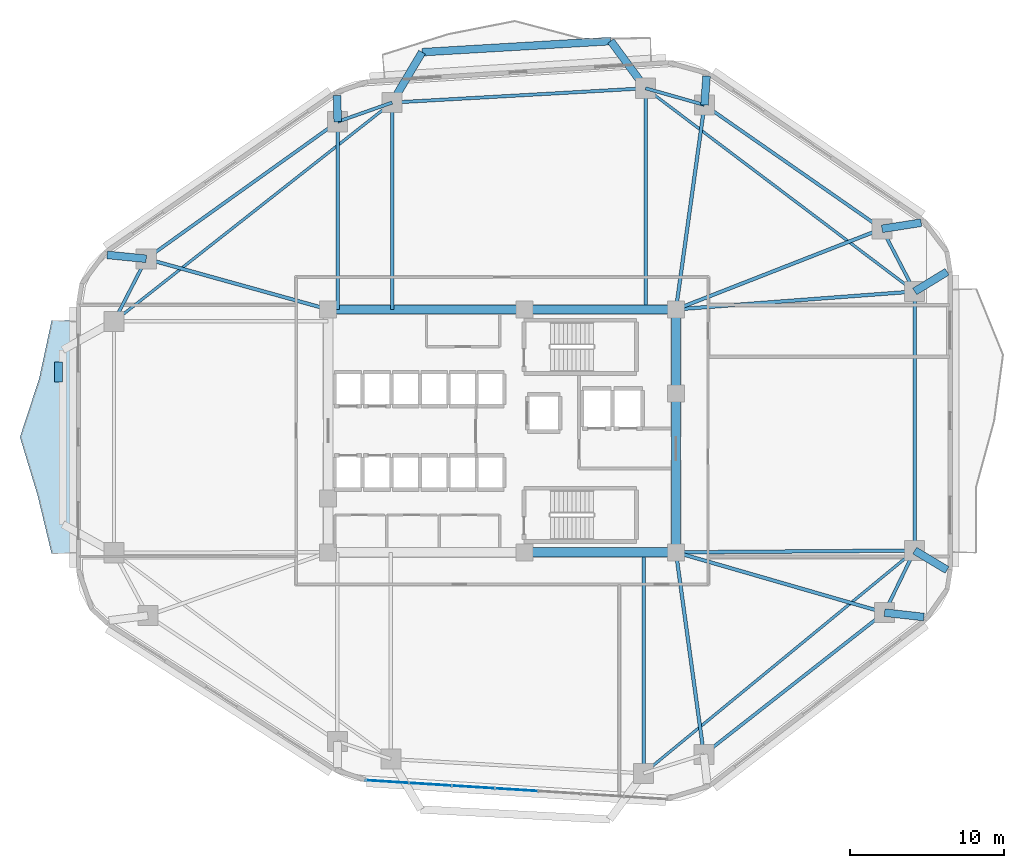
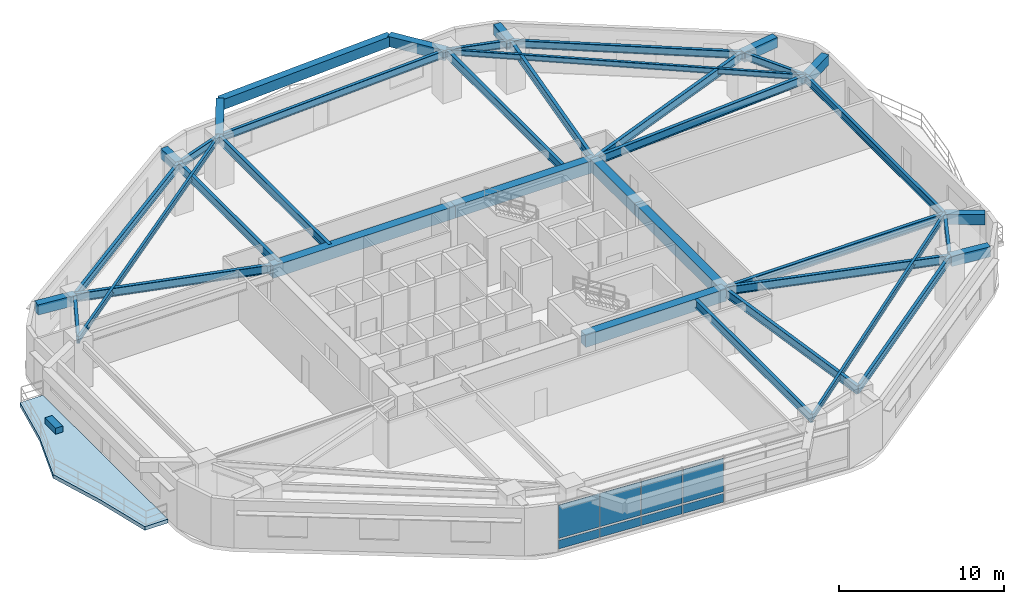
# One storey, part 6 of 13: 39 beams, 9 plates, 1 slab, 1 element without a shape of its own.
"""IFC4 building model written with IfcOpenShell, lengths in metres."""

from ifc_helpers import new_model, si_unit, direction, frame, origin, origin_2d, place, context, subcontext, project, spatial, polyline, rectangle, i_section, outline, extrude, material, layer, layer_set, material_profile, profile_set, type_object, element, aggregate, save


model = new_model("IFC4")

# Units and contexts
model_context = context("Model", 3, precision=1e-05, world=origin(), true_north=direction((0.0, 1.0)))
body_context = subcontext(model_context, "Body", "Model", "MODEL_VIEW")
ifc_project = project(units=[si_unit("LENGTHUNIT", "METRE"), si_unit("AREAUNIT", "SQUARE_METRE"), si_unit("VOLUMEUNIT", "CUBIC_METRE"), si_unit("PLANEANGLEUNIT", "RADIAN"), si_unit("MASSUNIT", "GRAM", prefix="KILO")], contexts=[model_context])

# Site, building, storey
site_placement = place(None, origin())
site = spatial("IfcSite", under=ifc_project, at=site_placement, CompositionType="ELEMENT")
building_placement = place(site_placement, origin())
building = spatial("IfcBuilding", under=site, at=building_placement, Name="Zulverin Broadcast Headquarters", CompositionType="ELEMENT")
storey_placement = place(building_placement, frame((0.0, 0.0, 70.60009765625)))
storey = spatial("IfcBuildingStorey", under=building, at=storey_placement, Name="L17", CompositionType="ELEMENT", Elevation=70.60009765625)

# Beams
ifc_material_1 = material(Name="Concrete C60/75", Category="concrete")
ifc_material_profile_1 = material_profile(ifc_material_1, rectangle(XDim=0.60009765625, YDim=0.89990234375, at=origin_2d()), Name="Concrete C60/75", Category="concrete")
ifc_profile_set_1 = profile_set([ifc_material_profile_1], Name="Concrete C60/75")
beam_type_1 = type_object("IfcBeamType", Name="BM-CB-600x900", PredefinedType="LINTEL", material=ifc_profile_set_1)
beam_1_placement = place(storey_placement, frame((38.449951171875, 17.324951171875, 3.074951171875), z_axis=(1.0, 0.0, 0.0), x_axis=(0.0, 1.0, 0.0)))
element("IfcBeam", 1, at=beam_1_placement, inside=storey, type_object=beam_type_1, Name="L17 Core Coupling Girder K02-K03", PredefinedType="LINTEL", context=body_context, shape_type="SweptSolid", body=[
    extrude(rectangle(XDim=0.60009765625, YDim=0.89990234375, at=origin_2d()), origin(), (0.0, 0.0, 1.0), 9.824951171875),
])
beam_2_placement = place(storey_placement, frame((48.27490234375, 17.324951171875, 3.074951171875), z_axis=(0.0, 1.0, 0.0), x_axis=(-1.0, 0.0, 0.0)))
element("IfcBeam", 2, at=beam_2_placement, inside=storey, type_object=beam_type_1, Name="L17 Core Coupling Girder K03-K04", PredefinedType="LINTEL", context=body_context, shape_type="SweptSolid", body=[
    extrude(rectangle(XDim=0.60009765625, YDim=0.89990234375, at=origin_2d()), origin(), (0.0, 0.0, 1.0), 10.295166015625),
])
beam_3_placement = place(storey_placement, frame((48.27490234375, 27.6201171875, 3.074951171875), z_axis=(0.0, 1.0, 0.0), x_axis=(-1.0, 0.0, 0.0)))
element("IfcBeam", 3, at=beam_3_placement, inside=storey, type_object=beam_type_1, Name="L17 Core Coupling Girder K04-K05", PredefinedType="LINTEL", context=body_context, shape_type="SweptSolid", body=[
    extrude(rectangle(XDim=0.60009765625, YDim=0.89990234375, at=origin_2d()), origin(), (0.0, 0.0, 1.0), 5.454833984375),
])
beam_4_placement = place(storey_placement, frame((48.27490234375, 33.074951171875, 3.074951171875), z_axis=(-1.0, 0.0, 0.0), x_axis=(0.0, -1.0, 0.0)))
element("IfcBeam", 4, at=beam_4_placement, inside=storey, type_object=beam_type_1, Name="L17 Core Coupling Girder K05-K06", PredefinedType="LINTEL", context=body_context, shape_type="SweptSolid", body=[
    extrude(rectangle(XDim=0.60009765625, YDim=0.89990234375, at=origin_2d()), origin(), (0.0, 0.0, 1.0), 9.824951171875),
])
beam_5_placement = place(storey_placement, frame((38.449951171875, 33.074951171875, 3.074951171875), z_axis=(-1.0, 0.0, 0.0), x_axis=(0.0, -1.0, 0.0)))
element("IfcBeam", 5, at=beam_5_placement, inside=storey, type_object=beam_type_1, Name="L17 Core Coupling Girder K06-K07", PredefinedType="LINTEL", context=body_context, shape_type="SweptSolid", body=[
    extrude(rectangle(XDim=0.60009765625, YDim=0.89990234375, at=origin_2d()), origin(), (0.0, 0.0, 1.0), 12.724853515625),
])
ifc_material_2 = material(Name="Concrete C40/50", Category="concrete")
ifc_material_profile_2 = material_profile(ifc_material_2, rectangle(XDim=0.5, YDim=0.75, at=origin_2d()), Name="Concrete C40/50", Category="concrete")
ifc_profile_set_2 = profile_set([ifc_material_profile_2], Name="Concrete C40/50")
beam_type_2 = type_object("IfcBeamType", Name="BM-RC-500x750", PredefinedType="BEAM", material=ifc_profile_set_2)
beam_6_placement = place(storey_placement, frame((61.79296875, 13.416259765625, 3.14990234375), z_axis=(0.993797661948, -0.111203449166, 0.0), x_axis=(0.111203449166, 0.993797661948, 0.0)))
element("IfcBeam", 6, at=beam_6_placement, inside=storey, type_object=beam_type_2, Name="L18 Plate Overhang Back-Spanned Beam OVR-04", PredefinedType="BEAM", context=body_context, shape_type="SweptSolid", body=[
    extrude(rectangle(XDim=0.5, YDim=0.75, at=origin_2d()), origin(), (0.0, 0.0, 1.0), 2.568603515625),
])
beam_7_placement = place(storey_placement, frame((63.75, 17.439697265625, 3.14990234375), z_axis=(0.858161199639, -0.513380322407, 0.0), x_axis=(0.513380322407, 0.858161199639, 0.0)))
element("IfcBeam", 7, at=beam_7_placement, inside=storey, type_object=beam_type_2, Name="L18 Plate Overhang Back-Spanned Beam OVR-05", PredefinedType="BEAM", context=body_context, shape_type="SweptSolid", body=[
    extrude(rectangle(XDim=0.5, YDim=0.75, at=origin_2d()), origin(), (0.0, 0.0, 1.0), 2.447265625),
])
beam_8_placement = place(storey_placement, frame((63.75, 34.235107421875, 3.14990234375), z_axis=(0.854022127196, 0.520236682924, 0.0), x_axis=(-0.520236682924, 0.854022127196, 0.0)))
element("IfcBeam", 8, at=beam_8_placement, inside=storey, type_object=beam_type_2, Name="L18 Plate Overhang Back-Spanned Beam OVR-06", PredefinedType="BEAM", context=body_context, shape_type="SweptSolid", body=[
    extrude(rectangle(XDim=0.5, YDim=0.75, at=origin_2d()), origin(), (0.0, 0.0, 1.0), 2.458984375),
])
beam_9_placement = place(storey_placement, frame((61.630126953125, 38.298583984375, 3.14990234375), z_axis=(0.988133444256, 0.153597839639, 0.0), x_axis=(-0.153597839639, 0.988133444256, 0.0)))
element("IfcBeam", 9, at=beam_9_placement, inside=storey, type_object=beam_type_2, Name="L18 Plate Overhang Back-Spanned Beam OVR-07", PredefinedType="BEAM", context=body_context, shape_type="SweptSolid", body=[
    extrude(rectangle(XDim=0.5, YDim=0.75, at=origin_2d()), origin(), (0.0, 0.0, 1.0), 2.57177734375),
])
beam_10_placement = place(storey_placement, frame((50.121826171875, 46.325927734375, 3.14990234375), z_axis=(0.073023006252, 0.997330256514, 0.0), x_axis=(-0.997330256514, 0.073023006252, 0.0)))
element("IfcBeam", 10, at=beam_10_placement, inside=storey, type_object=beam_type_2, Name="L18 Plate Overhang Back-Spanned Beam OVR-08", PredefinedType="BEAM", context=body_context, shape_type="SweptSolid", body=[
    extrude(rectangle(XDim=0.5, YDim=0.75, at=origin_2d()), origin(), (0.0, 0.0, 1.0), 1.875732421875),
])
beam_11_placement = place(storey_placement, frame((26.344482421875, 45.23828125, 3.14990234375), z_axis=(-0.025024345209, 0.999686842039, 0.0), x_axis=(-0.999686842039, -0.025024345209, 0.0)))
element("IfcBeam", 11, at=beam_11_placement, inside=storey, type_object=beam_type_2, Name="L18 Plate Overhang Back-Spanned Beam OVR-11", PredefinedType="BEAM", context=body_context, shape_type="SweptSolid", body=[
    extrude(rectangle(XDim=0.5, YDim=0.75, at=origin_2d()), origin(), (0.0, 0.0, 1.0), 1.707275390625),
])
beam_12_placement = place(storey_placement, frame((13.934326171875, 36.353759765625, 3.14990234375), z_axis=(-0.995008621602, 0.09978899207, 0.0), x_axis=(-0.09978899207, -0.995008621602, 0.0)))
element("IfcBeam", 12, at=beam_12_placement, inside=storey, type_object=beam_type_2, Name="L18 Plate Overhang Back-Spanned Beam OVR-12", PredefinedType="BEAM", context=body_context, shape_type="SweptSolid", body=[
    extrude(rectangle(XDim=0.5, YDim=0.75, at=origin_2d()), origin(), (0.0, 0.0, 1.0), 2.5419921875),
])
for number, where, z_axis, x_axis, name in (
    (13, (46.30224609375, 47.4091796875, 3.14990234375), (-0.592925064887, 0.805257640404, 0.0), (-0.805257640404, -0.592925064887, 0.0), "L18 Balcony Column-Framed Cantilever BAL_N-1"),
    (14, (29.873779296875, 46.482177734375, 3.14990234375), (0.511024077234, 0.859566397952, 0.0), (-0.859566397952, 0.511024077234, 0.0), "L18 Balcony Column-Framed Cantilever BAL_N-2"),
):
    element("IfcBeam", number, at=place(storey_placement, frame(where, z_axis=z_axis, x_axis=x_axis)), inside=storey, type_object=beam_type_2, Name=name, PredefinedType="BEAM", context=body_context, shape_type="SweptSolid", body=[
        extrude(rectangle(XDim=0.5, YDim=0.75, at=origin_2d()), origin(), (0.0, 0.0, 1.0), 3.800048828125),
    ])
beam_13_placement = place(storey_placement, frame((44.049072265625, 50.46923828125, 3.14990234375), z_axis=(-0.998269148199, -0.058810779227, 0.0), x_axis=(0.058810779227, -0.998269148199, 0.0)))
element("IfcBeam", 15, at=beam_13_placement, inside=storey, type_object=beam_type_2, Name="L18 Balcony Outer Edge Trimmer Beam BAL_N", PredefinedType="BEAM", context=body_context, shape_type="SweptSolid", body=[
    extrude(rectangle(XDim=0.5, YDim=0.75, at=origin_2d()), origin(), (0.0, 0.0, 1.0), 12.254638671875),
])
ifc_material_3 = material(Name="Structural steel S355JR", Category="steel")
ifc_material_profile_3 = material_profile(ifc_material_3, i_section(OverallWidth=0.179443359375, OverallDepth=0.412841796875, WebThickness=0.009521484375, FlangeThickness=0.01611328125, at=origin_2d()), Name="Structural steel S355JR", Category="steel")
ifc_profile_set_3 = profile_set([ifc_material_profile_3], Name="Structural steel S355JR")
beam_type_3 = type_object("IfcBeamType", Name="BM-UB-406", PredefinedType="JOIST", material=ifc_profile_set_3)
beam_14_placement = place(storey_placement, frame((46.175048828125, 2.997802734375, 3.318603515625), z_axis=(0.772611370623, 0.634879256224, 0.0), x_axis=(-0.634879256224, 0.772611370623, 0.0)))
element("IfcBeam", 16, at=beam_14_placement, inside=storey, type_object=beam_type_3, Name="L17 Chordal Floor Joist J-01", PredefinedType="JOIST", context=body_context, shape_type="SweptSolid", body=[
    extrude(i_section(OverallWidth=0.179443359375, OverallDepth=0.412841796875, WebThickness=0.009521484375, FlangeThickness=0.01611328125, at=origin_2d()), origin(), (0.0, 0.0, 1.0), 22.74755859375),
])
beam_15_placement = place(storey_placement, frame((63.75, 34.235107421875, 3.318603515625), z_axis=(-0.798058136838, 0.602580459546, 0.0), x_axis=(-0.602580459546, -0.798058136838, 0.0)))
element("IfcBeam", 17, at=beam_15_placement, inside=storey, type_object=beam_type_3, Name="L17 Chordal Floor Joist J-02", PredefinedType="JOIST", context=body_context, shape_type="SweptSolid", body=[
    extrude(i_section(OverallWidth=0.179443359375, OverallDepth=0.412841796875, WebThickness=0.009521484375, FlangeThickness=0.01611328125, at=origin_2d()), origin(), (0.0, 0.0, 1.0), 21.86279296875),
])
beam_16_placement = place(storey_placement, frame((29.873779296875, 46.482177734375, 3.318603515625), z_axis=(-0.78583902739, -0.618431098047, 0.0), x_axis=(0.618431098047, -0.78583902739, 0.0)))
element("IfcBeam", 18, at=beam_16_placement, inside=storey, type_object=beam_type_3, Name="L17 Chordal Floor Joist J-03", PredefinedType="JOIST", context=body_context, shape_type="SweptSolid", body=[
    extrude(i_section(OverallWidth=0.179443359375, OverallDepth=0.412841796875, WebThickness=0.009521484375, FlangeThickness=0.01611328125, at=origin_2d()), origin(), (0.0, 0.0, 1.0), 22.935546875),
])
ifc_material_profile_4 = material_profile(ifc_material_3, i_section(OverallWidth=0.2119140625, OverallDepth=0.54443359375, WebThickness=0.0126953125, FlangeThickness=0.021240234375, at=origin_2d()), Name="Structural steel S355JR", Category="steel")
ifc_profile_set_4 = profile_set([ifc_material_profile_4], Name="Structural steel S355JR")
beam_type_4 = type_object("IfcBeamType", Name="BM-UB-533", PredefinedType="SPANDREL", material=ifc_profile_set_4)
beam_17_placement = place(storey_placement, frame((50.08056640625, 4.22509765625, 3.252685546875), z_axis=(0.786691476208, 0.617346354376, 0.0), x_axis=(-0.617346354376, 0.786691476208, 0.0)))
element("IfcBeam", 19, at=beam_17_placement, inside=storey, type_object=beam_type_4, Name="L17 Perimeter Spandrel Beam SP-03", PredefinedType="SPANDREL", context=body_context, shape_type="SweptSolid", body=[
    extrude(i_section(OverallWidth=0.2119140625, OverallDepth=0.54443359375, WebThickness=0.0126953125, FlangeThickness=0.021240234375, at=origin_2d()), origin(), (0.0, 0.0, 1.0), 14.88818359375),
])
beam_18_placement = place(storey_placement, frame((61.79296875, 13.416259765625, 3.252685546875), z_axis=(0.437408475872, 0.899262934428, 0.0), x_axis=(-0.899262934428, 0.437408475872, 0.0)))
element("IfcBeam", 20, at=beam_18_placement, inside=storey, type_object=beam_type_4, Name="L17 Perimeter Spandrel Beam SP-04", PredefinedType="SPANDREL", context=body_context, shape_type="SweptSolid", body=[
    extrude(i_section(OverallWidth=0.2119140625, OverallDepth=0.54443359375, WebThickness=0.0126953125, FlangeThickness=0.021240234375, at=origin_2d()), origin(), (0.0, 0.0, 1.0), 4.47412109375),
])
beam_19_placement = place(storey_placement, frame((63.75, 17.439697265625, 3.252685546875), z_axis=(0.0, 1.0, 0.0), x_axis=(-1.0, 0.0, 0.0)))
element("IfcBeam", 21, at=beam_19_placement, inside=storey, type_object=beam_type_4, Name="L17 Perimeter Spandrel Beam SP-05", PredefinedType="SPANDREL", context=body_context, shape_type="SweptSolid", body=[
    extrude(i_section(OverallWidth=0.2119140625, OverallDepth=0.54443359375, WebThickness=0.0126953125, FlangeThickness=0.021240234375, at=origin_2d()), origin(), (0.0, 0.0, 1.0), 16.79541015625),
])
beam_20_placement = place(storey_placement, frame((63.75, 34.235107421875, 3.252685546875), z_axis=(-0.462531417359, 0.886602891917, 0.0), x_axis=(-0.886602891917, -0.462531417359, 0.0)))
element("IfcBeam", 22, at=beam_20_placement, inside=storey, type_object=beam_type_4, Name="L17 Perimeter Spandrel Beam SP-06", PredefinedType="SPANDREL", context=body_context, shape_type="SweptSolid", body=[
    extrude(i_section(OverallWidth=0.2119140625, OverallDepth=0.54443359375, WebThickness=0.0126953125, FlangeThickness=0.021240234375, at=origin_2d()), origin(), (0.0, 0.0, 1.0), 4.583251953125),
])
beam_21_placement = place(storey_placement, frame((61.630126953125, 38.298583984375, 3.252685546875), z_axis=(-0.820183915206, 0.5720999434, 0.0), x_axis=(-0.5720999434, -0.820183915206, 0.0)))
element("IfcBeam", 23, at=beam_21_placement, inside=storey, type_object=beam_type_4, Name="L17 Perimeter Spandrel Beam SP-07", PredefinedType="SPANDREL", context=body_context, shape_type="SweptSolid", body=[
    extrude(i_section(OverallWidth=0.2119140625, OverallDepth=0.54443359375, WebThickness=0.0126953125, FlangeThickness=0.021240234375, at=origin_2d()), origin(), (0.0, 0.0, 1.0), 14.03125),
])
beam_22_placement = place(storey_placement, frame((50.121826171875, 46.325927734375, 3.252685546875), z_axis=(-0.962058150721, 0.272844487999, 0.0), x_axis=(-0.272844487999, -0.962058150721, 0.0)))
element("IfcBeam", 24, at=beam_22_placement, inside=storey, type_object=beam_type_4, Name="L17 Perimeter Spandrel Beam SP-08", PredefinedType="SPANDREL", context=body_context, shape_type="SweptSolid", body=[
    extrude(i_section(OverallWidth=0.2119140625, OverallDepth=0.54443359375, WebThickness=0.0126953125, FlangeThickness=0.021240234375, at=origin_2d()), origin(), (0.0, 0.0, 1.0), 3.97021484375),
])
beam_23_placement = place(storey_placement, frame((46.30224609375, 47.4091796875, 3.252685546875), z_axis=(-0.998411812904, -0.056336949274, 0.0), x_axis=(0.056336949274, -0.998411812904, 0.0)))
element("IfcBeam", 25, at=beam_23_placement, inside=storey, type_object=beam_type_4, Name="L17 Perimeter Spandrel Beam SP-09", PredefinedType="SPANDREL", context=body_context, shape_type="SweptSolid", body=[
    extrude(i_section(OverallWidth=0.2119140625, OverallDepth=0.54443359375, WebThickness=0.0126953125, FlangeThickness=0.021240234375, at=origin_2d()), origin(), (0.0, 0.0, 1.0), 16.45458984375),
])
beam_24_placement = place(storey_placement, frame((29.873779296875, 46.482177734375, 3.252685546875), z_axis=(-0.943135983398, -0.332407155189, 0.0), x_axis=(0.332407155189, -0.943135983398, 0.0)))
element("IfcBeam", 26, at=beam_24_placement, inside=storey, type_object=beam_type_4, Name="L17 Perimeter Spandrel Beam SP-10", PredefinedType="SPANDREL", context=body_context, shape_type="SweptSolid", body=[
    extrude(i_section(OverallWidth=0.2119140625, OverallDepth=0.54443359375, WebThickness=0.0126953125, FlangeThickness=0.021240234375, at=origin_2d()), origin(), (0.0, 0.0, 1.0), 3.7421875),
])
beam_25_placement = place(storey_placement, frame((26.344482421875, 45.23828125, 3.252685546875), z_axis=(-0.813109374453, -0.582110938891, 0.0), x_axis=(0.582110938891, -0.813109374453, 0.0)))
element("IfcBeam", 27, at=beam_25_placement, inside=storey, type_object=beam_type_4, Name="L17 Perimeter Spandrel Beam SP-11", PredefinedType="SPANDREL", context=body_context, shape_type="SweptSolid", body=[
    extrude(i_section(OverallWidth=0.2119140625, OverallDepth=0.54443359375, WebThickness=0.0126953125, FlangeThickness=0.021240234375, at=origin_2d()), origin(), (0.0, 0.0, 1.0), 15.2626953125),
])
beam_26_placement = place(storey_placement, frame((13.934326171875, 36.353759765625, 3.252685546875), z_axis=(-0.457080631948, -0.889425261558, 0.0), x_axis=(0.889425261558, -0.457080631948, 0.0)))
element("IfcBeam", 28, at=beam_26_placement, inside=storey, type_object=beam_type_4, Name="L17 Perimeter Spandrel Beam SP-12", PredefinedType="SPANDREL", context=body_context, shape_type="SweptSolid", body=[
    extrude(i_section(OverallWidth=0.2119140625, OverallDepth=0.54443359375, WebThickness=0.0126953125, FlangeThickness=0.021240234375, at=origin_2d()), origin(), (0.0, 0.0, 1.0), 4.559814453125),
])
ifc_material_profile_5 = material_profile(ifc_material_3, i_section(OverallWidth=0.230224609375, OverallDepth=0.6171875, WebThickness=0.01318359375, FlangeThickness=0.022216796875, at=origin_2d()), Name="Structural steel S355JR", Category="steel")
ifc_profile_set_5 = profile_set([ifc_material_profile_5], Name="Structural steel S355JR")
beam_type_5 = type_object("IfcBeamType", Name="BM-UB-610", PredefinedType="BEAM", material=ifc_profile_set_5)
beam_27_placement = place(storey_placement, frame((46.175048828125, 17.324951171875, 3.21630859375), z_axis=(0.0, -1.0, 0.0), x_axis=(1.0, 0.0, 0.0)))
element("IfcBeam", 29, at=beam_27_placement, inside=storey, type_object=beam_type_5, Name="L17 Radial Primary Floor Beam RB-02", PredefinedType="BEAM", context=body_context, shape_type="SweptSolid", body=[
    extrude(i_section(OverallWidth=0.230224609375, OverallDepth=0.6171875, WebThickness=0.01318359375, FlangeThickness=0.022216796875, at=origin_2d()), origin(), (0.0, 0.0, 1.0), 14.3271484375),
])
beam_28_placement = place(storey_placement, frame((48.27490234375, 17.324951171875, 3.21630859375), z_axis=(0.136547433081, -0.990633533916, 0.0), x_axis=(0.990633533916, 0.136547433081, 0.0)))
element("IfcBeam", 30, at=beam_28_placement, inside=storey, type_object=beam_type_5, Name="L17 Radial Primary Floor Beam RB-03", PredefinedType="BEAM", context=body_context, shape_type="SweptSolid", body=[
    extrude(i_section(OverallWidth=0.230224609375, OverallDepth=0.6171875, WebThickness=0.01318359375, FlangeThickness=0.022216796875, at=origin_2d()), origin(), (0.0, 0.0, 1.0), 13.2236328125),
])
beam_29_placement = place(storey_placement, frame((48.27490234375, 17.324951171875, 3.21630859375), z_axis=(0.960648363311, -0.277767388416, 0.0), x_axis=(0.277767388416, 0.960648363311, 0.0)))
element("IfcBeam", 31, at=beam_29_placement, inside=storey, type_object=beam_type_5, Name="L17 Radial Primary Floor Beam RB-04", PredefinedType="BEAM", context=body_context, shape_type="SweptSolid", body=[
    extrude(i_section(OverallWidth=0.230224609375, OverallDepth=0.6171875, WebThickness=0.01318359375, FlangeThickness=0.022216796875, at=origin_2d()), origin(), (0.0, 0.0, 1.0), 14.07177734375),
])
beam_30_placement = place(storey_placement, frame((48.27490234375, 17.324951171875, 3.21630859375), z_axis=(0.999972510862, 0.007414682739, 0.0), x_axis=(-0.007414682739, 0.999972510862, 0.0)))
element("IfcBeam", 32, at=beam_30_placement, inside=storey, type_object=beam_type_5, Name="L17 Radial Primary Floor Beam RB-05", PredefinedType="BEAM", context=body_context, shape_type="SweptSolid", body=[
    extrude(i_section(OverallWidth=0.230224609375, OverallDepth=0.6171875, WebThickness=0.01318359375, FlangeThickness=0.022216796875, at=origin_2d()), origin(), (0.0, 0.0, 1.0), 15.4755859375),
])
beam_31_placement = place(storey_placement, frame((48.27490234375, 33.074951171875, 3.21630859375), z_axis=(0.997201597387, 0.074759442003, 0.0), x_axis=(-0.074759442003, 0.997201597387, 0.0)))
element("IfcBeam", 33, at=beam_31_placement, inside=storey, type_object=beam_type_5, Name="L17 Radial Primary Floor Beam RB-06", PredefinedType="BEAM", context=body_context, shape_type="SweptSolid", body=[
    extrude(i_section(OverallWidth=0.230224609375, OverallDepth=0.6171875, WebThickness=0.01318359375, FlangeThickness=0.022216796875, at=origin_2d()), origin(), (0.0, 0.0, 1.0), 15.5185546875),
])
beam_32_placement = place(storey_placement, frame((48.27490234375, 33.074951171875, 3.21630859375), z_axis=(0.931297778153, 0.364258765723, 0.0), x_axis=(-0.364258765723, 0.931297778153, 0.0)))
element("IfcBeam", 34, at=beam_32_placement, inside=storey, type_object=beam_type_5, Name="L17 Radial Primary Floor Beam RB-07", PredefinedType="BEAM", context=body_context, shape_type="SweptSolid", body=[
    extrude(i_section(OverallWidth=0.230224609375, OverallDepth=0.6171875, WebThickness=0.01318359375, FlangeThickness=0.022216796875, at=origin_2d()), origin(), (0.0, 0.0, 1.0), 14.34033203125),
])
beam_33_placement = place(storey_placement, frame((48.27490234375, 33.074951171875, 3.21630859375), z_axis=(0.138045758193, 0.990425852169, 0.0), x_axis=(-0.990425852169, 0.138045758193, 0.0)))
element("IfcBeam", 35, at=beam_33_placement, inside=storey, type_object=beam_type_5, Name="L17 Radial Primary Floor Beam RB-08", PredefinedType="BEAM", context=body_context, shape_type="SweptSolid", body=[
    extrude(i_section(OverallWidth=0.230224609375, OverallDepth=0.6171875, WebThickness=0.01318359375, FlangeThickness=0.022216796875, at=origin_2d()), origin(), (0.0, 0.0, 1.0), 13.379150390625),
])
beam_34_placement = place(storey_placement, frame((46.30224609375, 33.074951171875, 3.21630859375), z_axis=(0.0, 1.0, 0.0), x_axis=(-1.0, 0.0, 0.0)))
element("IfcBeam", 36, at=beam_34_placement, inside=storey, type_object=beam_type_5, Name="L17 Radial Primary Floor Beam RB-09", PredefinedType="BEAM", context=body_context, shape_type="SweptSolid", body=[
    extrude(i_section(OverallWidth=0.230224609375, OverallDepth=0.6171875, WebThickness=0.01318359375, FlangeThickness=0.022216796875, at=origin_2d()), origin(), (0.0, 0.0, 1.0), 14.334228515625),
])
beam_35_placement = place(storey_placement, frame((29.873779296875, 33.074951171875, 3.21630859375), z_axis=(0.0, 1.0, 0.0), x_axis=(-1.0, 0.0, 0.0)))
element("IfcBeam", 37, at=beam_35_placement, inside=storey, type_object=beam_type_5, Name="L17 Radial Primary Floor Beam RB-10", PredefinedType="BEAM", context=body_context, shape_type="SweptSolid", body=[
    extrude(i_section(OverallWidth=0.230224609375, OverallDepth=0.6171875, WebThickness=0.01318359375, FlangeThickness=0.022216796875, at=origin_2d()), origin(), (0.0, 0.0, 1.0), 13.4072265625),
])
beam_36_placement = place(storey_placement, frame((26.344482421875, 33.074951171875, 3.21630859375), z_axis=(0.0, 1.0, 0.0), x_axis=(-1.0, 0.0, 0.0)))
element("IfcBeam", 38, at=beam_36_placement, inside=storey, type_object=beam_type_5, Name="L17 Radial Primary Floor Beam RB-11", PredefinedType="BEAM", context=body_context, shape_type="SweptSolid", body=[
    extrude(i_section(OverallWidth=0.230224609375, OverallDepth=0.6171875, WebThickness=0.01318359375, FlangeThickness=0.022216796875, at=origin_2d()), origin(), (0.0, 0.0, 1.0), 12.163330078125),
])
beam_37_placement = place(storey_placement, frame((25.72509765625, 33.074951171875, 3.21630859375), z_axis=(-0.963442133037, 0.267916509922, 0.0), x_axis=(-0.267916509922, -0.963442133037, 0.0)))
element("IfcBeam", 39, at=beam_37_placement, inside=storey, type_object=beam_type_5, Name="L17 Radial Primary Floor Beam RB-12", PredefinedType="BEAM", context=body_context, shape_type="SweptSolid", body=[
    extrude(i_section(OverallWidth=0.230224609375, OverallDepth=0.6171875, WebThickness=0.01318359375, FlangeThickness=0.022216796875, at=origin_2d()), origin(), (0.0, 0.0, 1.0), 12.23828125),
])

# Curtain wall, plates
ifc_material_4 = material(Name="Low-zone ribbon unitised curtain wall", Category="aluminium")
curtain_wall_type = type_object("IfcCurtainWallType", Name="CW-TWR-LOW", PredefinedType="USERDEFINED", material=ifc_material_4)
curtain_wall_placement = place(storey_placement, origin())
curtain_wall = element("IfcCurtainWall", 40, at=curtain_wall_placement, inside=storey, type_object=curtain_wall_type, Name="L17 Unitised Curtain Wall CW-L17-E1", ObjectType="UNITISED CURTAIN WALL", PredefinedType="USERDEFINED")
ifc_material_5 = material(Name="Low-E double-glazed pale-silver vision glass", Category="glass")
ifc_layer_1 = layer(ifc_material_5, 0.035888671875, Name="Low-E double-glazed pale-silver vision glass", Category="glass")
ifc_layer_set_1 = layer_set([ifc_layer_1], Name="Low-E double-glazed pale-silver vision glass")
plate_type_1 = type_object("IfcPlateType", Name="CW-PNL-GLZ", PredefinedType="CURTAIN_PANEL", material=ifc_layer_set_1)
plate_1_placement = place(storey_placement, frame((29.5556640625, 2.463134765625, 0.910888671875), z_axis=(0.0, 0.0, 1.0), x_axis=(0.998017182581, -0.062942062821, 0.0)))
plate_1 = element("IfcPlate", 41, at=plate_1_placement, type_object=plate_type_1, Name="CW-L17-E1 Vision Panel 00", PredefinedType="CURTAIN_PANEL", context=body_context, shape_type="SweptSolid", body=[
    extrude(rectangle(XDim=2.756591796875, YDim=0.035888671875, at=origin_2d()), origin(), (0.0, 0.0, 1.0), 2.47412109375),
])
plate_2_placement = place(storey_placement, frame((32.3466796875, 2.287109375, 0.910888671875), z_axis=(0.0, 0.0, 1.0), x_axis=(0.998017182581, -0.062942062821, 0.0)))
plate_2 = element("IfcPlate", 42, at=plate_2_placement, type_object=plate_type_1, Name="CW-L17-E1 Vision Panel 01", PredefinedType="CURTAIN_PANEL", context=body_context, shape_type="SweptSolid", body=[
    extrude(rectangle(XDim=2.756591796875, YDim=0.035888671875, at=origin_2d()), origin(), (0.0, 0.0, 1.0), 2.47412109375),
])
plate_3_placement = place(storey_placement, frame((35.137939453125, 2.111083984375, 0.910888671875), z_axis=(0.0, 0.0, 1.0), x_axis=(0.998017182581, -0.062942062821, 0.0)))
plate_3 = element("IfcPlate", 43, at=plate_3_placement, type_object=plate_type_1, Name="CW-L17-E1 Vision Panel 02", PredefinedType="CURTAIN_PANEL", context=body_context, shape_type="SweptSolid", body=[
    extrude(rectangle(XDim=2.756591796875, YDim=0.035888671875, at=origin_2d()), origin(), (0.0, 0.0, 1.0), 2.47412109375),
])
plate_4_placement = place(storey_placement, frame((37.92919921875, 1.93505859375, 0.910888671875), z_axis=(0.0, 0.0, 1.0), x_axis=(0.998017182581, -0.062942062821, 0.0)))
plate_4 = element("IfcPlate", 44, at=plate_4_placement, type_object=plate_type_1, Name="CW-L17-E1 Vision Panel 03", PredefinedType="CURTAIN_PANEL", context=body_context, shape_type="SweptSolid", body=[
    extrude(rectangle(XDim=2.756591796875, YDim=0.035888671875, at=origin_2d()), origin(), (0.0, 0.0, 1.0), 2.47412109375),
])
ifc_material_6 = material(Name="Insulated brushed pale-aluminium spandrel cassette", Category="aluminium")
ifc_layer_2 = layer(ifc_material_6, 0.050048828125, Name="Insulated brushed pale-aluminium spandrel cassette", Category="aluminium")
ifc_layer_set_2 = layer_set([ifc_layer_2], Name="Insulated brushed pale-aluminium spandrel cassette")
plate_type_2 = type_object("IfcPlateType", Name="CW-PNL-SPN", PredefinedType="CURTAIN_PANEL", material=ifc_layer_set_2)
plate_5_placement = place(storey_placement, frame((29.5556640625, 2.463134765625, 0.139892578125), z_axis=(0.0, 0.0, 1.0), x_axis=(0.998017182581, -0.062942062821, 0.0)))
plate_5 = element("IfcPlate", 45, at=plate_5_placement, type_object=plate_type_2, Name="CW-L17-E1 Spandrel Cassette 00", PredefinedType="CURTAIN_PANEL", context=body_context, shape_type="SweptSolid", body=[
    extrude(rectangle(XDim=2.756591796875, YDim=0.050048828125, at=origin_2d()), origin(), (0.0, 0.0, 1.0), 0.64111328125),
])
plate_6_placement = place(storey_placement, frame((32.3466796875, 2.287109375, 0.139892578125), z_axis=(0.0, 0.0, 1.0), x_axis=(0.998017182581, -0.062942062821, 0.0)))
plate_6 = element("IfcPlate", 46, at=plate_6_placement, type_object=plate_type_2, Name="CW-L17-E1 Spandrel Cassette 01", PredefinedType="CURTAIN_PANEL", context=body_context, shape_type="SweptSolid", body=[
    extrude(rectangle(XDim=2.756591796875, YDim=0.050048828125, at=origin_2d()), origin(), (0.0, 0.0, 1.0), 0.64111328125),
])
plate_7_placement = place(storey_placement, frame((35.137939453125, 2.111083984375, 0.139892578125), z_axis=(0.0, 0.0, 1.0), x_axis=(0.998017182581, -0.062942062821, 0.0)))
plate_7 = element("IfcPlate", 47, at=plate_7_placement, type_object=plate_type_2, Name="CW-L17-E1 Spandrel Cassette 02", PredefinedType="CURTAIN_PANEL", context=body_context, shape_type="SweptSolid", body=[
    extrude(rectangle(XDim=2.756591796875, YDim=0.050048828125, at=origin_2d()), origin(), (0.0, 0.0, 1.0), 0.64111328125),
])
plate_8_placement = place(storey_placement, frame((37.92919921875, 1.93505859375, 0.139892578125), z_axis=(0.0, 0.0, 1.0), x_axis=(0.998017182581, -0.062942062821, 0.0)))
plate_8 = element("IfcPlate", 48, at=plate_8_placement, type_object=plate_type_2, Name="CW-L17-E1 Spandrel Cassette 03", PredefinedType="CURTAIN_PANEL", context=body_context, shape_type="SweptSolid", body=[
    extrude(rectangle(XDim=2.756591796875, YDim=0.050048828125, at=origin_2d()), origin(), (0.0, 0.0, 1.0), 0.64111328125),
])
aggregate(curtain_wall, [plate_5, plate_1, plate_6, plate_2, plate_7, plate_3, plate_8, plate_4])

# Plate
ifc_material_7 = material(Name="Precast concrete C45/55", Category="concrete")
ifc_layer_3 = layer(ifc_material_7, 0.449951171875, Name="Precast concrete C45/55", Category="concrete")
ifc_layer_set_3 = layer_set([ifc_layer_3], Name="Precast concrete C45/55")
plate_type_3 = type_object("IfcPlateType", Name="PT-01_PRECAST_GFRC_TREE_PLANTER", PredefinedType="USERDEFINED", material=ifc_layer_set_3)
plate_9_placement = place(storey_placement, frame((8.25, 29.022216796875, -0.0048828125), z_axis=(0.0, 0.0, 1.0), x_axis=(0.0, 1.0, 0.0)))
element("IfcPlate", 49, at=plate_9_placement, inside=storey, type_object=plate_type_3, Name="L17 Precast GFRC Tree Planter BAL_W", ObjectType="PLANTER", PredefinedType="USERDEFINED", context=body_context, shape_type="SweptSolid", body=[
    extrude(rectangle(XDim=1.300048828125, YDim=0.5, at=origin_2d()), origin(), (0.0, 0.0, 1.0), 0.449951171875),
])

# Slab
ifc_layer_4 = layer(ifc_material_2, 0.27490234375, Name="Concrete C40/50", Category="concrete")
ifc_layer_set_4 = layer_set([ifc_layer_4], Name="Concrete C40/50")
slab_type = type_object("IfcSlabType", Name="SLB-BAL-275", PredefinedType="FLOOR", material=ifc_layer_set_4)
slab_placement = place(storey_placement, frame((0.0, 0.0, -0.275146484375)))
element("IfcSlab", 50, at=slab_placement, inside=storey, type_object=slab_type, Name="L17 Cantilevered Planted Balcony Slab BAL_W", PredefinedType="FLOOR", context=body_context, shape_type="SweptSolid", body=[
    extrude(outline(polyline([(9.39990234375, 17.24365234375), (9.39990234375, 32.344482421875), (7.800048828125, 32.344482421875), (6.988037109375, 28.569091796875), (5.75, 24.7939453125), (6.89111328125, 21.018798828125), (7.800048828125, 17.24365234375), (9.39990234375, 17.24365234375)])), origin(), (0.0, 0.0, 1.0), 0.275146484375),
])

save(model, "model.ifc")
